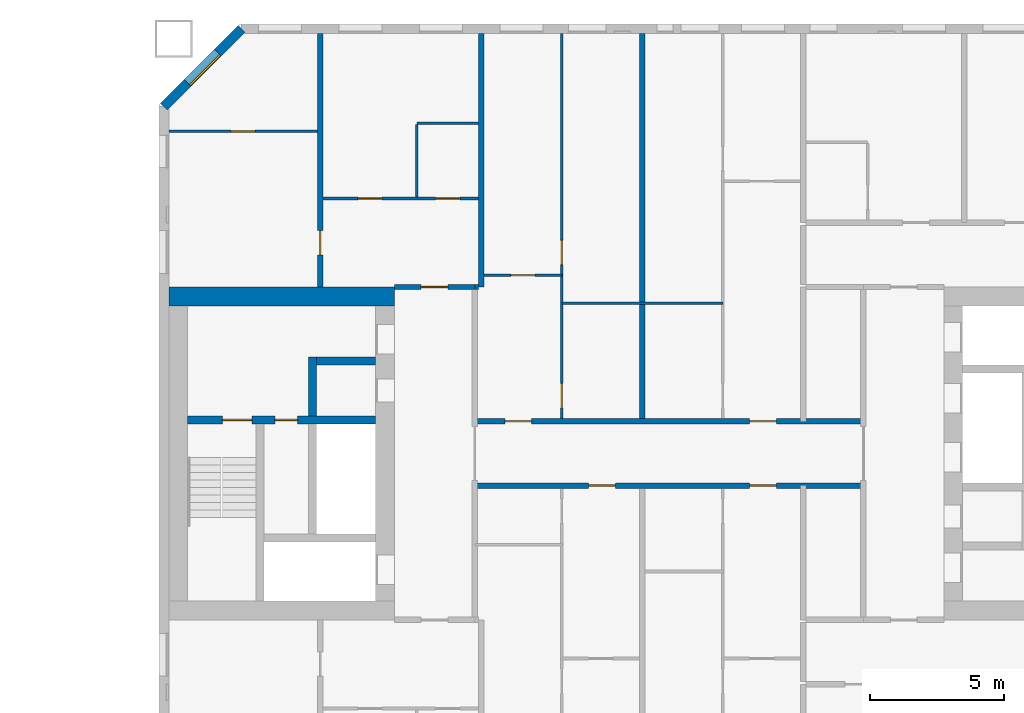
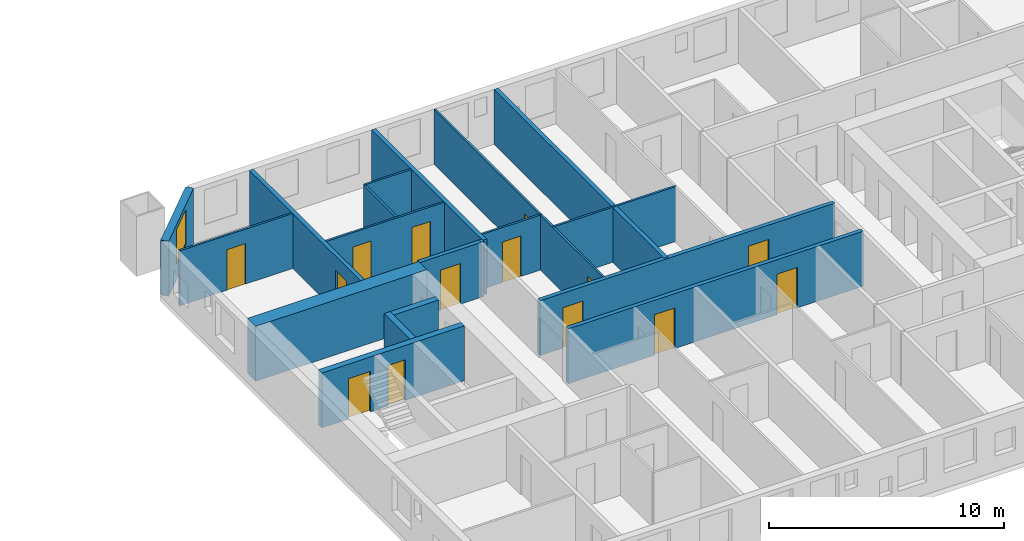
# One storey, part 10 of 17: 19 walls, 14 doors, 1 window, 15 openings.
"""IFC4 building model written with IfcOpenShell, lengths in metres."""

from ifc_helpers import new_model, si_unit, direction, frame, frame_2d, origin, place, context, subcontext, project, spatial, rectangle, extrude, material, layer, layer_set, type_object, element, fill, save


model = new_model("IFC4")

# Units and contexts
model_context = context("Model", 3, precision=1e-05, world=origin(), true_north=direction((0.0, 1.0)))
body_context = subcontext(model_context, "Body", "Model", "MODEL_VIEW")
ifc_project = project(units=[si_unit("LENGTHUNIT", "METRE"), si_unit("AREAUNIT", "SQUARE_METRE"), si_unit("VOLUMEUNIT", "CUBIC_METRE"), si_unit("PLANEANGLEUNIT", "RADIAN"), si_unit("MASSUNIT", "GRAM", prefix="KILO")], contexts=[model_context])

# Site, building, storey
site_placement = place(None, origin())
site = spatial("IfcSite", under=ifc_project, at=site_placement, CompositionType="ELEMENT")
building_placement = place(site_placement, origin())
building = spatial("IfcBuilding", under=site, at=building_placement, Name="Tuart Gate Housing", CompositionType="ELEMENT")
storey_placement = place(building_placement, frame((0.0, 0.0, 84.0)))
storey = spatial("IfcBuildingStorey", under=building, at=storey_placement, Name="L23", CompositionType="ELEMENT", Elevation=84.0)

# Wall, opening, window
ifc_material_1 = material(Name="Brick", Category="masonry")
ifc_layer_1 = layer(ifc_material_1, 0.360107421875)
ifc_layer_set_1 = layer_set([ifc_layer_1], Name="Brick pier and spandrel wall 360")
wall_type_1 = type_object("IfcWallType", Name="Brick pier and spandrel wall 360", PredefinedType="STANDARD", material=ifc_layer_set_1)
wall_1_placement = place(storey_placement, frame((134.07470703125, 85.820068359375, 0.0), z_axis=(0.0, 0.0, 1.0), x_axis=(-0.707106781187, -0.707106781187, 0.0)))
wall_1 = element("IfcWall", 1, at=wall_1_placement, inside=storey, type_object=wall_type_1, Name="External wall B-NW L23", PredefinedType="STANDARD", context=body_context, shape_type="SweptSolid", body=[
    extrude(rectangle(XDim=4.09375, YDim=0.360107421875, at=frame_2d((2.046875, 0.0))), origin(), (0.0, 0.0, 1.0), 2.85009765625),
])
opening_1_placement = place(wall_1_placement, frame((1.2470703125, 0.0, 0.800048828125)))
opening_1 = element("IfcOpeningElement", 2, at=opening_1_placement, cuts=wall_1, Name="Opening W1", PredefinedType="OPENING", context=body_context, shape_type="SweptSolid", body=[
    extrude(rectangle(XDim=1.60009765625, YDim=1.800048828125, at=frame_2d((0.800048828125, 0.89990234375))), frame((0.0, 0.18994140625, 0.0), z_axis=(0.0, -1.0, 0.0), x_axis=(1.0, 0.0, 0.0)), (0.0, 0.0, 1.0), 0.380126953125),
])
ifc_material_2 = material(Name="Aluminium frame with clear glass", Category="aluminium")
window_type = type_object("IfcWindowType", Name="Punched window 1600 x 1800", PartitioningType="SINGLE_PANEL", PredefinedType="WINDOW", material=ifc_material_2)
window_placement = place(opening_1_placement, origin())
window = element("IfcWindow", 3, at=window_placement, inside=storey, type_object=window_type, Name="Window W1", OverallHeight=1.800048828125, OverallWidth=1.60009765625, PartitioningType="SINGLE_PANEL", PredefinedType="WINDOW", context=body_context, shape_type="SweptSolid", body=[
    extrude(rectangle(XDim=1.60009765625, YDim=1.800048828125, at=frame_2d((0.800048828125, 0.89990234375))), frame((0.0, 0.150146484375, 0.0), z_axis=(0.0, -1.0, 0.0), x_axis=(1.0, 0.0, 0.0)), (0.0, 0.0, 1.0), 0.06005859375),
])
fill(opening_1, window)

# Wall, openings, doors
ifc_material_3 = material(Name="Concrete C50", Category="concrete")
ifc_layer_2 = layer(ifc_material_3, 0.300048828125)
ifc_layer_set_2 = layer_set([ifc_layer_2], Name="Core wall 300 C50")
wall_type_2 = type_object("IfcWallType", Name="Core wall 300 C50", PredefinedType="SHEAR", material=ifc_layer_set_2)
wall_2_placement = place(storey_placement, frame((139.06005859375, 71.25, 0.0), z_axis=(0.0, 0.0, 1.0), x_axis=(-1.0, 0.0, 0.0)))
wall_2 = element("IfcWall", 4, at=wall_2_placement, inside=storey, type_object=wall_type_2, Name="Core wall BG.2", PredefinedType="SHEAR", context=body_context, shape_type="SweptSolid", body=[
    extrude(rectangle(XDim=7.0, YDim=0.300048828125, at=frame_2d((3.5, 0.0))), origin(), (0.0, 0.0, 1.0), 2.85009765625),
])
opening_2_placement = place(wall_2_placement, frame((4.60009765625, 0.0, 0.0)))
opening_2 = element("IfcOpeningElement", 5, at=opening_2_placement, cuts=wall_2, Name="Opening D1032", PredefinedType="OPENING", context=body_context, shape_type="SweptSolid", body=[
    extrude(rectangle(XDim=1.10009765625, YDim=2.10009765625, at=frame_2d((0.550048828125, 1.050048828125))), frame((0.0, 0.159912109375, 0.0), z_axis=(0.0, -1.0, 0.0), x_axis=(1.0, 0.0, 0.0)), (0.0, 0.0, 1.0), 0.320068359375),
])
opening_3_placement = place(wall_2_placement, frame((2.89990234375, 0.0, 0.0)))
opening_3 = element("IfcOpeningElement", 6, at=opening_3_placement, cuts=wall_2, Name="Opening D1031", PredefinedType="OPENING", context=body_context, shape_type="SweptSolid", body=[
    extrude(rectangle(XDim=0.85009765625, YDim=2.10009765625, at=frame_2d((0.425048828125, 1.050048828125))), frame((0.0, 0.159912109375, 0.0), z_axis=(0.0, -1.0, 0.0), x_axis=(1.0, 0.0, 0.0)), (0.0, 0.0, 1.0), 0.320068359375),
])
ifc_material_4 = material(Name="Steel fire door", Category="steel")
door_type_1 = type_object("IfcDoorType", Name="Riser door 850 x 2100", OperationType="SINGLE_SWING_LEFT", PredefinedType="DOOR", material=ifc_material_4)
door_1_placement = place(opening_3_placement, origin())
door_1 = element("IfcDoor", 7, at=door_1_placement, inside=storey, type_object=door_type_1, Name="Service room door BG.W1", OperationType="SINGLE_SWING_LEFT", OverallHeight=2.10009765625, OverallWidth=0.85009765625, PredefinedType="DOOR", context=body_context, shape_type="SweptSolid", body=[
    extrude(rectangle(XDim=0.85009765625, YDim=2.10009765625, at=frame_2d((0.425048828125, 1.050048828125))), frame((0.0, 0.02490234375, 0.0), z_axis=(0.0, -1.0, 0.0), x_axis=(1.0, 0.0, 0.0)), (0.0, 0.0, 1.0), 0.050048828125),
])
fill(opening_3, door_1)
ifc_material_5 = material(Name="Steel fire door", Category="steel")
door_type_2 = type_object("IfcDoorType", Name="Stair door 1100 x 2100", OperationType="SINGLE_SWING_LEFT", PredefinedType="DOOR", material=ifc_material_5)
door_2_placement = place(opening_2_placement, origin())
door_2 = element("IfcDoor", 8, at=door_2_placement, inside=storey, type_object=door_type_2, Name="Stair door BG.SD", OperationType="SINGLE_SWING_LEFT", OverallHeight=2.10009765625, OverallWidth=1.10009765625, PredefinedType="DOOR", context=body_context, shape_type="SweptSolid", body=[
    extrude(rectangle(XDim=1.10009765625, YDim=2.10009765625, at=frame_2d((0.550048828125, 1.050048828125))), frame((0.0, 0.02490234375, 0.0), z_axis=(0.0, -1.0, 0.0), x_axis=(1.0, 0.0, 0.0)), (0.0, 0.0, 1.0), 0.050048828125),
])
fill(opening_2, door_2)

# Walls
wall_3_placement = place(storey_placement, frame((139.06005859375, 73.449951171875, 0.0), z_axis=(0.0, 0.0, 1.0), x_axis=(-1.0, 0.0, 0.0)))
element("IfcWall", 9, at=wall_3_placement, inside=storey, type_object=wall_type_2, Name="Core wall BG.3", PredefinedType="SHEAR", context=body_context, shape_type="SweptSolid", body=[
    extrude(rectangle(XDim=2.199951171875, YDim=0.300048828125, at=frame_2d((1.10009765625, 0.0))), origin(), (0.0, 0.0, 1.0), 2.85009765625),
])
wall_4_placement = place(storey_placement, frame((136.7099609375, 71.39990234375, 0.0), z_axis=(0.0, 0.0, 1.0), x_axis=(0.0, 1.0, 0.0)))
element("IfcWall", 10, at=wall_4_placement, inside=storey, type_object=wall_type_2, Name="Core wall BG.5", PredefinedType="SHEAR", context=body_context, shape_type="SweptSolid", body=[
    extrude(rectangle(XDim=2.2001953125, YDim=0.300048828125, at=frame_2d((1.10009765625, 0.0))), origin(), (0.0, 0.0, 1.0), 2.85009765625),
])
ifc_material_6 = material(Name="Concrete C50", Category="concrete")
ifc_layer_3 = layer(ifc_material_6, 0.699951171875)
ifc_layer_set_3 = layer_set([ifc_layer_3], Name="Core wall 700 C50")
wall_type_3 = type_object("IfcWallType", Name="Core wall 700 C50", PredefinedType="SHEAR", material=ifc_layer_set_3)
wall_5_placement = place(storey_placement, frame((139.760009765625, 75.85009765625, 0.0), z_axis=(0.0, 0.0, 1.0), x_axis=(-1.0, 0.0, 0.0)))
element("IfcWall", 11, at=wall_5_placement, inside=storey, type_object=wall_type_3, Name="Core wall BG north", PredefinedType="SHEAR", context=body_context, shape_type="SweptSolid", body=[
    extrude(rectangle(XDim=8.39990234375, YDim=0.699951171875, at=frame_2d((4.199951171875, 0.0))), origin(), (0.0, 0.0, 1.0), 2.85009765625),
])

# Wall, openings, doors
ifc_material_7 = material(Name="Concrete masonry 15 MPa", Category="masonry")
ifc_layer_4 = layer(ifc_material_7, 0.199951171875)
ifc_layer_set_4 = layer_set([ifc_layer_4], Name="Corridor wall masonry 200")
wall_type_4 = type_object("IfcWallType", Name="Corridor wall masonry 200", PredefinedType="PARTITIONING", material=ifc_layer_set_4)
wall_6_placement = place(storey_placement, frame((142.760009765625, 68.800048828125, 0.0), z_axis=(0.0, 0.0, 1.0), x_axis=(1.0, 0.0, 0.0)))
wall_6 = element("IfcWall", 12, at=wall_6_placement, inside=storey, type_object=wall_type_4, Name="Corridor wall masonry 200", PredefinedType="PARTITIONING", context=body_context, shape_type="SweptSolid", body=[
    extrude(rectangle(XDim=14.47998046875, YDim=0.199951171875, at=frame_2d((7.239990234375, 0.0))), origin(), (0.0, 0.0, 1.0), 2.85009765625),
])
opening_4_placement = place(wall_6_placement, frame((4.239990234375, 0.0, 0.0)))
opening_4 = element("IfcOpeningElement", 13, at=opening_4_placement, cuts=wall_6, Name="Opening D1043", PredefinedType="OPENING", context=body_context, shape_type="SweptSolid", body=[
    extrude(rectangle(XDim=1.0, YDim=2.10009765625, at=frame_2d((0.5, 1.050048828125))), frame((0.0, 0.10986328125, 0.0), z_axis=(0.0, -1.0, 0.0), x_axis=(1.0, 0.0, 0.0)), (0.0, 0.0, 1.0), 0.219970703125),
])
opening_5_placement = place(wall_6_placement, frame((10.239990234375, 0.0, 0.0)))
opening_5 = element("IfcOpeningElement", 14, at=opening_5_placement, cuts=wall_6, Name="Opening D1044", PredefinedType="OPENING", context=body_context, shape_type="SweptSolid", body=[
    extrude(rectangle(XDim=1.0, YDim=2.10009765625, at=frame_2d((0.5, 1.050048828125))), frame((0.0, 0.10986328125, 0.0), z_axis=(0.0, -1.0, 0.0), x_axis=(1.0, 0.0, 0.0)), (0.0, 0.0, 1.0), 0.219970703125),
])
ifc_material_8 = material(Name="Timber door leaf in steel frame", Category="steel")
door_type_3 = type_object("IfcDoorType", Name="Flat entrance door 1000 RH", OperationType="SINGLE_SWING_RIGHT", PredefinedType="DOOR", material=ifc_material_8)
door_3_placement = place(opening_4_placement, frame((1.0, 0.0, 0.0), z_axis=(0.0, 0.0, 1.0), x_axis=(-1.0, 0.0, 0.0)))
door_3 = element("IfcDoor", 15, at=door_3_placement, inside=storey, type_object=door_type_3, Name="Flat entrance door", OperationType="SINGLE_SWING_RIGHT", OverallHeight=2.10009765625, OverallWidth=1.0, PredefinedType="DOOR", context=body_context, shape_type="SweptSolid", body=[
    extrude(rectangle(XDim=1.0, YDim=2.10009765625, at=frame_2d((0.5, 1.050048828125))), frame((0.0, 0.025146484375, 0.0), z_axis=(0.0, -1.0, 0.0), x_axis=(1.0, 0.0, 0.0)), (0.0, 0.0, 1.0), 0.050048828125),
])
fill(opening_4, door_3)
door_4_placement = place(opening_5_placement, frame((1.0, 0.0, 0.0), z_axis=(0.0, 0.0, 1.0), x_axis=(-1.0, 0.0, 0.0)))
door_4 = element("IfcDoor", 16, at=door_4_placement, inside=storey, type_object=door_type_3, Name="Flat entrance door", OperationType="SINGLE_SWING_RIGHT", OverallHeight=2.10009765625, OverallWidth=1.0, PredefinedType="DOOR", context=body_context, shape_type="SweptSolid", body=[
    extrude(rectangle(XDim=1.0, YDim=2.10009765625, at=frame_2d((0.5, 1.050048828125))), frame((0.0, 0.025146484375, 0.0), z_axis=(0.0, -1.0, 0.0), x_axis=(1.0, 0.0, 0.0)), (0.0, 0.0, 1.0), 0.050048828125),
])
fill(opening_5, door_4)

wall_7_placement = place(storey_placement, frame((142.760009765625, 71.199951171875, 0.0), z_axis=(0.0, 0.0, 1.0), x_axis=(1.0, 0.0, 0.0)))
wall_7 = element("IfcWall", 17, at=wall_7_placement, inside=storey, type_object=wall_type_4, Name="Corridor wall masonry 200", PredefinedType="PARTITIONING", context=body_context, shape_type="SweptSolid", body=[
    extrude(rectangle(XDim=14.47998046875, YDim=0.199951171875, at=frame_2d((7.239990234375, 0.0))), origin(), (0.0, 0.0, 1.0), 2.85009765625),
])
opening_6_placement = place(wall_7_placement, frame((1.1201171875, 0.0, 0.0)))
opening_6 = element("IfcOpeningElement", 18, at=opening_6_placement, cuts=wall_7, Name="Opening D1033", PredefinedType="OPENING", context=body_context, shape_type="SweptSolid", body=[
    extrude(rectangle(XDim=1.0, YDim=2.10009765625, at=frame_2d((0.5, 1.050048828125))), frame((0.0, 0.10986328125, 0.0), z_axis=(0.0, -1.0, 0.0), x_axis=(1.0, 0.0, 0.0)), (0.0, 0.0, 1.0), 0.219970703125),
])
opening_7_placement = place(wall_7_placement, frame((10.239990234375, 0.0, 0.0)))
opening_7 = element("IfcOpeningElement", 19, at=opening_7_placement, cuts=wall_7, Name="Opening D1034", PredefinedType="OPENING", context=body_context, shape_type="SweptSolid", body=[
    extrude(rectangle(XDim=1.0, YDim=2.10009765625, at=frame_2d((0.5, 1.050048828125))), frame((0.0, 0.10986328125, 0.0), z_axis=(0.0, -1.0, 0.0), x_axis=(1.0, 0.0, 0.0)), (0.0, 0.0, 1.0), 0.219970703125),
])
ifc_material_9 = material(Name="Timber door leaf in steel frame", Category="steel")
door_type_4 = type_object("IfcDoorType", Name="Flat entrance door 1000", OperationType="SINGLE_SWING_LEFT", PredefinedType="DOOR", material=ifc_material_9)
door_5_placement = place(opening_6_placement, origin())
door_5 = element("IfcDoor", 20, at=door_5_placement, inside=storey, type_object=door_type_4, Name="Flat entrance door", OperationType="SINGLE_SWING_LEFT", OverallHeight=2.10009765625, OverallWidth=1.0, PredefinedType="DOOR", context=body_context, shape_type="SweptSolid", body=[
    extrude(rectangle(XDim=1.0, YDim=2.10009765625, at=frame_2d((0.5, 1.050048828125))), frame((0.0, 0.02490234375, 0.0), z_axis=(0.0, -1.0, 0.0), x_axis=(1.0, 0.0, 0.0)), (0.0, 0.0, 1.0), 0.050048828125),
])
fill(opening_6, door_5)
door_6_placement = place(opening_7_placement, origin())
door_6 = element("IfcDoor", 21, at=door_6_placement, inside=storey, type_object=door_type_4, Name="Flat entrance door", OperationType="SINGLE_SWING_LEFT", OverallHeight=2.10009765625, OverallWidth=1.0, PredefinedType="DOOR", context=body_context, shape_type="SweptSolid", body=[
    extrude(rectangle(XDim=1.0, YDim=2.10009765625, at=frame_2d((0.5, 1.050048828125))), frame((0.0, 0.02490234375, 0.0), z_axis=(0.0, -1.0, 0.0), x_axis=(1.0, 0.0, 0.0)), (0.0, 0.0, 1.0), 0.050048828125),
])
fill(opening_7, door_6)

# Wall, opening, door
ifc_material_10 = material(Name="Concrete masonry 15 MPa", Category="masonry")
ifc_layer_5 = layer(ifc_material_10, 0.199951171875)
ifc_layer_set_5 = layer_set([ifc_layer_5], Name="Enclosure wall masonry 200")
wall_type_5 = type_object("IfcWallType", Name="Enclosure wall masonry 200", PredefinedType="PARTITIONING", material=ifc_layer_set_5)
wall_8_placement = place(storey_placement, frame((139.760009765625, 76.199951171875, 0.0), z_axis=(0.0, 0.0, 1.0), x_axis=(1.0, 0.0, 0.0)))
wall_8 = element("IfcWall", 22, at=wall_8_placement, inside=storey, type_object=wall_type_5, Name="Enclosure wall masonry 200", PredefinedType="PARTITIONING", context=body_context, shape_type="SweptSolid", body=[
    extrude(rectangle(XDim=3.0, YDim=0.199951171875, at=frame_2d((1.5, 0.0))), origin(), (0.0, 0.0, 1.0), 2.85009765625),
])
opening_8_placement = place(wall_8_placement, frame((1.0, 0.0, 0.0)))
opening_8 = element("IfcOpeningElement", 23, at=opening_8_placement, cuts=wall_8, Name="Opening D1029", PredefinedType="OPENING", context=body_context, shape_type="SweptSolid", body=[
    extrude(rectangle(XDim=1.0, YDim=2.10009765625, at=frame_2d((0.5, 1.050048828125))), frame((0.0, 0.10986328125, 0.0), z_axis=(0.0, -1.0, 0.0), x_axis=(1.0, 0.0, 0.0)), (0.0, 0.0, 1.0), 0.219970703125),
])
door_7_placement = place(opening_8_placement, origin())
door_7 = element("IfcDoor", 24, at=door_7_placement, inside=storey, type_object=door_type_3, Name="Flat entrance door", OperationType="SINGLE_SWING_RIGHT", OverallHeight=2.10009765625, OverallWidth=1.0, PredefinedType="DOOR", context=body_context, shape_type="SweptSolid", body=[
    extrude(rectangle(XDim=1.0, YDim=2.10009765625, at=frame_2d((0.5, 1.050048828125))), frame((0.0, 0.02490234375, 0.0), z_axis=(0.0, -1.0, 0.0), x_axis=(1.0, 0.0, 0.0)), (0.0, 0.0, 1.0), 0.050048828125),
])
fill(opening_8, door_7)

# Wall
ifc_material_11 = material(Name="Gypsum board on steel studs", Category="steel")
ifc_layer_6 = layer(ifc_material_11, 0.10009765625)
ifc_layer_set_6 = layer_set([ifc_layer_6], Name="Partition 100")
wall_type_6 = type_object("IfcWallType", Name="Partition 100", PredefinedType="PARTITIONING", material=ifc_layer_set_6)
wall_9_placement = place(storey_placement, frame((146.0, 75.60009765625, 0.0), z_axis=(0.0, 0.0, 1.0), x_axis=(1.0, 0.0, 0.0)))
element("IfcWall", 25, at=wall_9_placement, inside=storey, type_object=wall_type_6, Name="Partition 100", PredefinedType="PARTITIONING", context=body_context, shape_type="SweptSolid", body=[
    extrude(rectangle(XDim=6.0, YDim=0.10009765625, at=frame_2d((3.0, 0.0))), origin(), (0.0, 0.0, 1.0), 2.85009765625),
])

# Wall, opening, door
wall_10_placement = place(storey_placement, frame((143.10009765625, 76.639892578125, 0.0), z_axis=(0.0, 0.0, 1.0), x_axis=(1.0, 0.0, 0.0)))
wall_10 = element("IfcWall", 26, at=wall_10_placement, inside=storey, type_object=wall_type_6, Name="Partition 100", PredefinedType="PARTITIONING", context=body_context, shape_type="SweptSolid", body=[
    extrude(rectangle(XDim=2.89990234375, YDim=0.10009765625, at=frame_2d((1.449951171875, 0.0))), origin(), (0.0, 0.0, 1.0), 2.85009765625),
])
opening_9_placement = place(wall_10_placement, frame((1.0, 0.0, 0.0)))
opening_9 = element("IfcOpeningElement", 27, at=opening_9_placement, cuts=wall_10, Name="Opening D1028", PredefinedType="OPENING", context=body_context, shape_type="SweptSolid", body=[
    extrude(rectangle(XDim=0.89990234375, YDim=2.10009765625, at=frame_2d((0.449951171875, 1.050048828125))), frame((0.0, 0.06005859375, 0.0), z_axis=(0.0, -1.0, 0.0), x_axis=(1.0, 0.0, 0.0)), (0.0, 0.0, 1.0), 0.1201171875),
])
ifc_material_12 = material(Name="Timber door leaf in steel frame", Category="steel")
door_type_5 = type_object("IfcDoorType", Name="Internal door 900", OperationType="SINGLE_SWING_LEFT", PredefinedType="DOOR", material=ifc_material_12)
door_8_placement = place(opening_9_placement, frame((0.89990234375, 0.0, 0.0), z_axis=(0.0, 0.0, 1.0), x_axis=(-1.0, 0.0, 0.0)))
door_8 = element("IfcDoor", 28, at=door_8_placement, inside=storey, type_object=door_type_5, Name="Internal door", OperationType="SINGLE_SWING_LEFT", OverallHeight=2.10009765625, OverallWidth=0.89990234375, PredefinedType="DOOR", context=body_context, shape_type="SweptSolid", body=[
    extrude(rectangle(XDim=0.89990234375, YDim=2.10009765625, at=frame_2d((0.449951171875, 1.050048828125))), frame((0.0, 0.025146484375, 0.0), z_axis=(0.0, -1.0, 0.0), x_axis=(1.0, 0.0, 0.0)), (0.0, 0.0, 1.0), 0.050048828125),
])
fill(opening_9, door_8)

# Wall, openings, doors
wall_11_placement = place(storey_placement, frame((137.10009765625, 79.5, 0.0), z_axis=(0.0, 0.0, 1.0), x_axis=(1.0, 0.0, 0.0)))
wall_11 = element("IfcWall", 29, at=wall_11_placement, inside=storey, type_object=wall_type_6, Name="Partition 100", PredefinedType="PARTITIONING", context=body_context, shape_type="SweptSolid", body=[
    extrude(rectangle(XDim=5.7998046875, YDim=0.10009765625, at=frame_2d((2.89990234375, 0.0))), origin(), (0.0, 0.0, 1.0), 2.85009765625),
])
opening_10_placement = place(wall_11_placement, frame((1.300048828125, 0.0, 0.0)))
opening_10 = element("IfcOpeningElement", 30, at=opening_10_placement, cuts=wall_11, Name="Opening D1020", PredefinedType="OPENING", context=body_context, shape_type="SweptSolid", body=[
    extrude(rectangle(XDim=0.89990234375, YDim=2.10009765625, at=frame_2d((0.449951171875, 1.050048828125))), frame((0.0, 0.06005859375, 0.0), z_axis=(0.0, -1.0, 0.0), x_axis=(1.0, 0.0, 0.0)), (0.0, 0.0, 1.0), 0.1201171875),
])
opening_11_placement = place(wall_11_placement, frame((4.199951171875, 0.0, 0.0)))
opening_11 = element("IfcOpeningElement", 31, at=opening_11_placement, cuts=wall_11, Name="Opening D1019", PredefinedType="OPENING", context=body_context, shape_type="SweptSolid", body=[
    extrude(rectangle(XDim=0.89990234375, YDim=2.10009765625, at=frame_2d((0.449951171875, 1.050048828125))), frame((0.0, 0.06005859375, 0.0), z_axis=(0.0, -1.0, 0.0), x_axis=(1.0, 0.0, 0.0)), (0.0, 0.0, 1.0), 0.1201171875),
])
ifc_material_13 = material(Name="Timber door leaf in steel frame", Category="steel")
door_type_6 = type_object("IfcDoorType", Name="Bathroom door 900", OperationType="SINGLE_SWING_LEFT", PredefinedType="DOOR", material=ifc_material_13)
door_9_placement = place(opening_11_placement, origin())
door_9 = element("IfcDoor", 32, at=door_9_placement, inside=storey, type_object=door_type_6, Name="Bathroom door", OperationType="SINGLE_SWING_LEFT", OverallHeight=2.10009765625, OverallWidth=0.89990234375, PredefinedType="DOOR", context=body_context, shape_type="SweptSolid", body=[
    extrude(rectangle(XDim=0.89990234375, YDim=2.10009765625, at=frame_2d((0.449951171875, 1.050048828125))), frame((0.0, 0.02490234375, 0.0), z_axis=(0.0, -1.0, 0.0), x_axis=(1.0, 0.0, 0.0)), (0.0, 0.0, 1.0), 0.050048828125),
])
fill(opening_11, door_9)
ifc_material_14 = material(Name="Timber door leaf in steel frame", Category="steel")
door_type_7 = type_object("IfcDoorType", Name="Internal door 900 RH", OperationType="SINGLE_SWING_RIGHT", PredefinedType="DOOR", material=ifc_material_14)
door_10_placement = place(opening_10_placement, origin())
door_10 = element("IfcDoor", 33, at=door_10_placement, inside=storey, type_object=door_type_7, Name="Internal door", OperationType="SINGLE_SWING_RIGHT", OverallHeight=2.10009765625, OverallWidth=0.89990234375, PredefinedType="DOOR", context=body_context, shape_type="SweptSolid", body=[
    extrude(rectangle(XDim=0.89990234375, YDim=2.10009765625, at=frame_2d((0.449951171875, 1.050048828125))), frame((0.0, 0.02490234375, 0.0), z_axis=(0.0, -1.0, 0.0), x_axis=(1.0, 0.0, 0.0)), (0.0, 0.0, 1.0), 0.050048828125),
])
fill(opening_10, door_10)

# Wall, opening, door
wall_12_placement = place(storey_placement, frame((131.360107421875, 82.0, 0.0), z_axis=(0.0, 0.0, 1.0), x_axis=(1.0, 0.0, 0.0)))
wall_12 = element("IfcWall", 34, at=wall_12_placement, inside=storey, type_object=wall_type_6, Name="Partition 100", PredefinedType="PARTITIONING", context=body_context, shape_type="SweptSolid", body=[
    extrude(rectangle(XDim=5.539794921875, YDim=0.10009765625, at=frame_2d((2.77001953125, 0.0))), origin(), (0.0, 0.0, 1.0), 2.85009765625),
])
opening_12_placement = place(wall_12_placement, frame((2.320068359375, 0.0, 0.0)))
opening_12 = element("IfcOpeningElement", 35, at=opening_12_placement, cuts=wall_12, Name="Opening D1013", PredefinedType="OPENING", context=body_context, shape_type="SweptSolid", body=[
    extrude(rectangle(XDim=0.89990234375, YDim=2.10009765625, at=frame_2d((0.449951171875, 1.050048828125))), frame((0.0, 0.06005859375, 0.0), z_axis=(0.0, -1.0, 0.0), x_axis=(1.0, 0.0, 0.0)), (0.0, 0.0, 1.0), 0.1201171875),
])
door_11_placement = place(opening_12_placement, origin())
door_11 = element("IfcDoor", 36, at=door_11_placement, inside=storey, type_object=door_type_5, Name="Internal door", OperationType="SINGLE_SWING_LEFT", OverallHeight=2.10009765625, OverallWidth=0.89990234375, PredefinedType="DOOR", context=body_context, shape_type="SweptSolid", body=[
    extrude(rectangle(XDim=0.89990234375, YDim=2.10009765625, at=frame_2d((0.449951171875, 1.050048828125))), frame((0.0, 0.02490234375, 0.0), z_axis=(0.0, -1.0, 0.0), x_axis=(1.0, 0.0, 0.0)), (0.0, 0.0, 1.0), 0.050048828125),
])
fill(opening_12, door_11)

# Walls
wall_13_placement = place(storey_placement, frame((140.60009765625, 82.300048828125, 0.0), z_axis=(0.0, 0.0, 1.0), x_axis=(1.0, 0.0, 0.0)))
element("IfcWall", 37, at=wall_13_placement, inside=storey, type_object=wall_type_6, Name="Partition 100", PredefinedType="PARTITIONING", context=body_context, shape_type="SweptSolid", body=[
    extrude(rectangle(XDim=2.2998046875, YDim=0.10009765625, at=frame_2d((1.14990234375, 0.0))), origin(), (0.0, 0.0, 1.0), 2.85009765625),
])
wall_14_placement = place(storey_placement, frame((140.60009765625, 79.550048828125, 0.0), z_axis=(0.0, 0.0, 1.0), x_axis=(0.0, 1.0, 0.0)))
element("IfcWall", 38, at=wall_14_placement, inside=storey, type_object=wall_type_6, Name="Partition 100", PredefinedType="PARTITIONING", context=body_context, shape_type="SweptSolid", body=[
    extrude(rectangle(XDim=2.699951171875, YDim=0.10009765625, at=frame_2d((1.35009765625, 0.0))), origin(), (0.0, 0.0, 1.0), 2.85009765625),
])

# Wall, openings, doors
wall_15_placement = place(storey_placement, frame((146.0, 71.300048828125, 0.0), z_axis=(0.0, 0.0, 1.0), x_axis=(0.0, 1.0, 0.0)))
wall_15 = element("IfcWall", 39, at=wall_15_placement, inside=storey, type_object=wall_type_6, Name="Partition 100", PredefinedType="PARTITIONING", context=body_context, shape_type="SweptSolid", body=[
    extrude(rectangle(XDim=14.33984375, YDim=0.10009765625, at=frame_2d((7.169921875, 0.0))), origin(), (0.0, 0.0, 1.0), 2.85009765625),
])
opening_13_placement = place(wall_15_placement, frame((5.739990234375, 0.0, 0.0)))
opening_13 = element("IfcOpeningElement", 40, at=opening_13_placement, cuts=wall_15, Name="Opening D1025", PredefinedType="OPENING", context=body_context, shape_type="SweptSolid", body=[
    extrude(rectangle(XDim=0.89990234375, YDim=2.10009765625, at=frame_2d((0.449951171875, 1.050048828125))), frame((0.0, 0.06005859375, 0.0), z_axis=(0.0, -1.0, 0.0), x_axis=(1.0, 0.0, 0.0)), (0.0, 0.0, 1.0), 0.1201171875),
])
opening_14_placement = place(wall_15_placement, frame((0.39990234375, 0.0, 0.0)))
opening_14 = element("IfcOpeningElement", 41, at=opening_14_placement, cuts=wall_15, Name="Opening D1024", PredefinedType="OPENING", context=body_context, shape_type="SweptSolid", body=[
    extrude(rectangle(XDim=0.89990234375, YDim=2.10009765625, at=frame_2d((0.449951171875, 1.050048828125))), frame((0.0, 0.06005859375, 0.0), z_axis=(0.0, -1.0, 0.0), x_axis=(1.0, 0.0, 0.0)), (0.0, 0.0, 1.0), 0.1201171875),
])
ifc_material_15 = material(Name="Timber door leaf in steel frame", Category="steel")
door_type_8 = type_object("IfcDoorType", Name="Bathroom door 900 RH", OperationType="SINGLE_SWING_RIGHT", PredefinedType="DOOR", material=ifc_material_15)
door_12_placement = place(opening_14_placement, frame((0.89990234375, 0.0, 0.0), z_axis=(0.0, 0.0, 1.0), x_axis=(-1.0, 0.0, 0.0)))
door_12 = element("IfcDoor", 42, at=door_12_placement, inside=storey, type_object=door_type_8, Name="Bathroom door", OperationType="SINGLE_SWING_RIGHT", OverallHeight=2.10009765625, OverallWidth=0.89990234375, PredefinedType="DOOR", context=body_context, shape_type="SweptSolid", body=[
    extrude(rectangle(XDim=0.89990234375, YDim=2.10009765625, at=frame_2d((0.449951171875, 1.050048828125))), frame((0.0, 0.025146484375, 0.0), z_axis=(0.0, -1.0, 0.0), x_axis=(1.0, 0.0, 0.0)), (0.0, 0.0, 1.0), 0.050048828125),
])
fill(opening_14, door_12)
door_13_placement = place(opening_13_placement, frame((0.89990234375, 0.0, 0.0), z_axis=(0.0, 0.0, 1.0), x_axis=(-1.0, 0.0, 0.0)))
door_13 = element("IfcDoor", 43, at=door_13_placement, inside=storey, type_object=door_type_7, Name="Internal door", OperationType="SINGLE_SWING_RIGHT", OverallHeight=2.10009765625, OverallWidth=0.89990234375, PredefinedType="DOOR", context=body_context, shape_type="SweptSolid", body=[
    extrude(rectangle(XDim=0.89990234375, YDim=2.10009765625, at=frame_2d((0.449951171875, 1.050048828125))), frame((0.0, 0.025146484375, 0.0), z_axis=(0.0, -1.0, 0.0), x_axis=(1.0, 0.0, 0.0)), (0.0, 0.0, 1.0), 0.050048828125),
])
fill(opening_13, door_13)

# Wall, opening, door
ifc_material_16 = material(Name="Concrete C40", Category="concrete")
ifc_layer_7 = layer(ifc_material_16, 0.199951171875)
ifc_layer_set_7 = layer_set([ifc_layer_7], Name="Party wall concrete C40 200")
wall_type_7 = type_object("IfcWallType", Name="Party wall concrete C40 200", PredefinedType="SOLIDWALL", material=ifc_layer_set_7)
wall_16_placement = place(storey_placement, frame((137.0, 76.199951171875, 0.0), z_axis=(0.0, 0.0, 1.0), x_axis=(0.0, 1.0, 0.0)))
wall_16 = element("IfcWall", 44, at=wall_16_placement, inside=storey, type_object=wall_type_7, Name="Party wall concrete C40 200", PredefinedType="SOLIDWALL", context=body_context, shape_type="SweptSolid", body=[
    extrude(rectangle(XDim=9.43994140625, YDim=0.199951171875, at=frame_2d((4.719970703125, 0.0))), origin(), (0.0, 0.0, 1.0), 2.85009765625),
])
opening_15_placement = place(wall_16_placement, frame((1.199951171875, 0.0, 0.0)))
opening_15 = element("IfcOpeningElement", 45, at=opening_15_placement, cuts=wall_16, Name="Opening D1014", PredefinedType="OPENING", context=body_context, shape_type="SweptSolid", body=[
    extrude(rectangle(XDim=0.89990234375, YDim=2.10009765625, at=frame_2d((0.449951171875, 1.050048828125))), frame((0.0, 0.10986328125, 0.0), z_axis=(0.0, -1.0, 0.0), x_axis=(1.0, 0.0, 0.0)), (0.0, 0.0, 1.0), 0.219970703125),
])
door_14_placement = place(opening_15_placement, frame((0.89990234375, 0.0, 0.0), z_axis=(0.0, 0.0, 1.0), x_axis=(-1.0, 0.0, 0.0)))
door_14 = element("IfcDoor", 46, at=door_14_placement, inside=storey, type_object=door_type_7, Name="Internal door", OperationType="SINGLE_SWING_RIGHT", OverallHeight=2.10009765625, OverallWidth=0.89990234375, PredefinedType="DOOR", context=body_context, shape_type="SweptSolid", body=[
    extrude(rectangle(XDim=0.89990234375, YDim=2.10009765625, at=frame_2d((0.449951171875, 1.050048828125))), frame((0.0, 0.025146484375, 0.0), z_axis=(0.0, -1.0, 0.0), x_axis=(1.0, 0.0, 0.0)), (0.0, 0.0, 1.0), 0.050048828125),
])
fill(opening_15, door_14)

# Walls
wall_17_placement = place(storey_placement, frame((143.0, 76.199951171875, 0.0), z_axis=(0.0, 0.0, 1.0), x_axis=(0.0, 1.0, 0.0)))
element("IfcWall", 47, at=wall_17_placement, inside=storey, type_object=wall_type_7, Name="Party wall concrete C40 200", PredefinedType="SOLIDWALL", context=body_context, shape_type="SweptSolid", body=[
    extrude(rectangle(XDim=9.43994140625, YDim=0.199951171875, at=frame_2d((4.719970703125, 0.0))), origin(), (0.0, 0.0, 1.0), 2.85009765625),
])
wall_18_placement = place(storey_placement, frame((149.0, 71.199951171875, 0.0), z_axis=(0.0, 0.0, 1.0), x_axis=(0.0, 1.0, 0.0)))
element("IfcWall", 48, at=wall_18_placement, inside=storey, type_object=wall_type_7, Name="Party wall concrete C40 200", PredefinedType="SOLIDWALL", context=body_context, shape_type="SweptSolid", body=[
    extrude(rectangle(XDim=14.43994140625, YDim=0.199951171875, at=frame_2d((7.219970703125, 0.0))), origin(), (0.0, 0.0, 1.0), 2.85009765625),
])
ifc_material_17 = material(Name="Concrete masonry 15 MPa", Category="masonry")
ifc_layer_8 = layer(ifc_material_17, 0.199951171875)
ifc_layer_set_8 = layer_set([ifc_layer_8], Name="Party wall masonry 200")
wall_type_8 = type_object("IfcWallType", Name="Party wall masonry 200", PredefinedType="PARTITIONING", material=ifc_layer_set_8)
wall_19_placement = place(storey_placement, frame((142.760009765625, 76.199951171875, 0.0), z_axis=(0.0, 0.0, 1.0), x_axis=(1.0, 0.0, 0.0)))
element("IfcWall", 49, at=wall_19_placement, inside=storey, type_object=wall_type_8, Name="Party wall masonry 200", PredefinedType="PARTITIONING", context=body_context, shape_type="SweptSolid", body=[
    extrude(rectangle(XDim=0.139892578125, YDim=0.199951171875, at=frame_2d((0.06982421875, 0.0))), origin(), (0.0, 0.0, 1.0), 2.85009765625),
])

save(model, "model.ifc")
